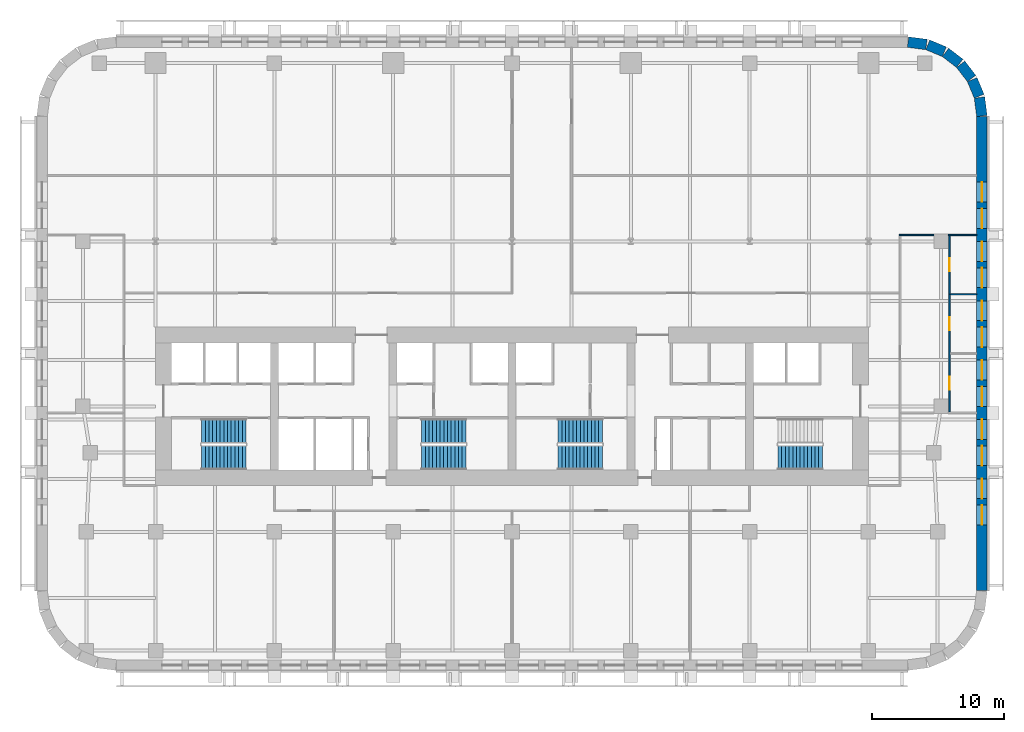
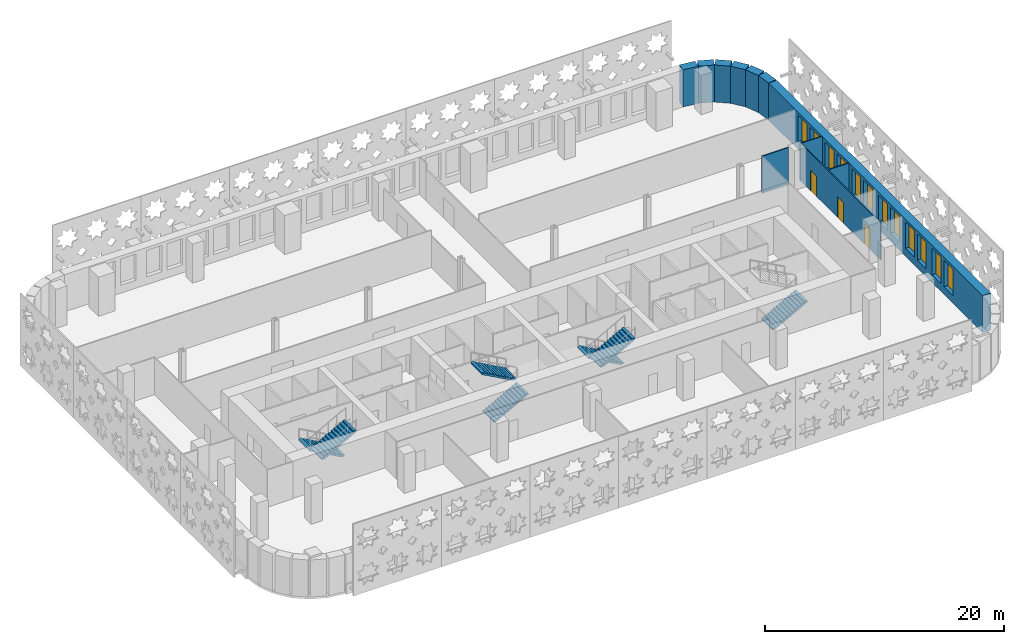
# One storey, part 9 of 15: 12 windows, 11 walls, 7 stair flights, 3 doors, 15 openings, 4 elements without a shape of their own.
"""IFC4 building model written with IfcOpenShell, lengths in metres."""

from ifc_helpers import new_model, si_unit, direction, frame, frame_2d, origin, place, context, subcontext, project, spatial, polyline, rectangle, outline, extrude, material, layer, layer_set, type_object, element, fill, aggregate, save


model = new_model("IFC4")

# Units and contexts
model_context = context("Model", 3, precision=1e-05, world=origin(), true_north=direction((0.0, 1.0)))
body_context = subcontext(model_context, "Body", "Model", "MODEL_VIEW")
ifc_project = project(units=[si_unit("LENGTHUNIT", "METRE"), si_unit("AREAUNIT", "SQUARE_METRE"), si_unit("VOLUMEUNIT", "CUBIC_METRE"), si_unit("PLANEANGLEUNIT", "RADIAN"), si_unit("MASSUNIT", "GRAM", prefix="KILO")], contexts=[model_context])

# Site, building, storey
site_placement = place(None, origin())
site = spatial("IfcSite", under=ifc_project, at=site_placement, CompositionType="ELEMENT")
building_placement = place(site_placement, origin())
building = spatial("IfcBuilding", under=site, at=building_placement, Name="Zellij Exchange Tower", CompositionType="ELEMENT")
storey_placement = place(building_placement, frame((0.0, 0.0, 84.5)))
storey = spatial("IfcBuildingStorey", under=building, at=storey_placement, Name="L17", CompositionType="ELEMENT", Elevation=84.5)

# Wall, openings, windows
ifc_material_1 = material(Name="Precast concrete C40/50", Category="concrete")
ifc_layer_1 = layer(ifc_material_1, 0.800048828125)
ifc_layer_set_1 = layer_set([ifc_layer_1], Name="Precast concrete C40/50")
wall_type_1 = type_object("IfcWallType", Name="ENV-EW1 Precast stone-piered wall 800", PredefinedType="SOLIDWALL", material=ifc_layer_set_1)
wall_1_placement = place(storey_placement, frame((35.60009765625, -21.947509765625, 0.0), z_axis=(0.0, 0.0, 1.0), x_axis=(0.0, 1.0, 0.0)))
wall_1 = element("IfcWall", 1, at=wall_1_placement, inside=storey, type_object=wall_type_1, Name="fac.L17.07", PredefinedType="SOLIDWALL", context=body_context, shape_type="SweptSolid", body=[
    extrude(rectangle(XDim=35.89501953125, YDim=0.800048828125, at=frame_2d((17.947509765625, 0.0))), origin(), (0.0, 0.0, 1.0), 3.800048828125),
])
opening_1_placement = place(wall_1_placement, frame((4.9638671875, 0.0, 0.800048828125)))
opening_1 = element("IfcOpeningElement", 2, at=opening_1_placement, cuts=wall_1, Name="Opening FZ1.25", PredefinedType="OPENING", context=body_context, shape_type="SweptSolid", body=[
    extrude(rectangle(XDim=1.5, YDim=2.699951171875, at=frame_2d((0.75, 1.35009765625))), frame((0.0, 0.412109375, 0.0), z_axis=(0.0, -1.0, 0.0), x_axis=(1.0, 0.0, 0.0)), (0.0, 0.0, 1.0), 0.823974609375),
])
opening_2_placement = place(wall_1_placement, frame((6.9638671875, 0.0, 0.800048828125)))
opening_2 = element("IfcOpeningElement", 3, at=opening_2_placement, cuts=wall_1, Name="Opening FZ1.26", PredefinedType="OPENING", context=body_context, shape_type="SweptSolid", body=[
    extrude(rectangle(XDim=1.5, YDim=2.699951171875, at=frame_2d((0.75, 1.35009765625))), frame((0.0, 0.412109375, 0.0), z_axis=(0.0, -1.0, 0.0), x_axis=(1.0, 0.0, 0.0)), (0.0, 0.0, 1.0), 0.823974609375),
])
opening_3_placement = place(wall_1_placement, frame((9.45751953125, 0.0, 0.800048828125)))
opening_3 = element("IfcOpeningElement", 4, at=opening_3_placement, cuts=wall_1, Name="Opening FZ1.27", PredefinedType="OPENING", context=body_context, shape_type="SweptSolid", body=[
    extrude(rectangle(XDim=1.5, YDim=2.699951171875, at=frame_2d((0.75, 1.35009765625))), frame((0.0, 0.412109375, 0.0), z_axis=(0.0, -1.0, 0.0), x_axis=(1.0, 0.0, 0.0)), (0.0, 0.0, 1.0), 0.823974609375),
])
opening_4_placement = place(wall_1_placement, frame((11.45751953125, 0.0, 0.800048828125)))
opening_4 = element("IfcOpeningElement", 5, at=opening_4_placement, cuts=wall_1, Name="Opening FZ1.28", PredefinedType="OPENING", context=body_context, shape_type="SweptSolid", body=[
    extrude(rectangle(XDim=1.5, YDim=2.699951171875, at=frame_2d((0.75, 1.35009765625))), frame((0.0, 0.412109375, 0.0), z_axis=(0.0, -1.0, 0.0), x_axis=(1.0, 0.0, 0.0)), (0.0, 0.0, 1.0), 0.823974609375),
])
opening_5_placement = place(wall_1_placement, frame((13.950927734375, 0.0, 0.800048828125)))
opening_5 = element("IfcOpeningElement", 6, at=opening_5_placement, cuts=wall_1, Name="Opening FZ1.29", PredefinedType="OPENING", context=body_context, shape_type="SweptSolid", body=[
    extrude(rectangle(XDim=1.5, YDim=2.699951171875, at=frame_2d((0.75, 1.35009765625))), frame((0.0, 0.412109375, 0.0), z_axis=(0.0, -1.0, 0.0), x_axis=(1.0, 0.0, 0.0)), (0.0, 0.0, 1.0), 0.823974609375),
])
opening_6_placement = place(wall_1_placement, frame((15.95068359375, 0.0, 0.800048828125)))
opening_6 = element("IfcOpeningElement", 7, at=opening_6_placement, cuts=wall_1, Name="Opening FZ1.30", PredefinedType="OPENING", context=body_context, shape_type="SweptSolid", body=[
    extrude(rectangle(XDim=1.5, YDim=2.699951171875, at=frame_2d((0.75, 1.35009765625))), frame((0.0, 0.412109375, 0.0), z_axis=(0.0, -1.0, 0.0), x_axis=(1.0, 0.0, 0.0)), (0.0, 0.0, 1.0), 0.823974609375),
])
opening_7_placement = place(wall_1_placement, frame((18.4443359375, 0.0, 0.800048828125)))
opening_7 = element("IfcOpeningElement", 8, at=opening_7_placement, cuts=wall_1, Name="Opening FZ1.31", PredefinedType="OPENING", context=body_context, shape_type="SweptSolid", body=[
    extrude(rectangle(XDim=1.5, YDim=2.699951171875, at=frame_2d((0.75, 1.35009765625))), frame((0.0, 0.412109375, 0.0), z_axis=(0.0, -1.0, 0.0), x_axis=(1.0, 0.0, 0.0)), (0.0, 0.0, 1.0), 0.823974609375),
])
opening_8_placement = place(wall_1_placement, frame((20.4443359375, 0.0, 0.800048828125)))
opening_8 = element("IfcOpeningElement", 9, at=opening_8_placement, cuts=wall_1, Name="Opening FZ1.32", PredefinedType="OPENING", context=body_context, shape_type="SweptSolid", body=[
    extrude(rectangle(XDim=1.5, YDim=2.699951171875, at=frame_2d((0.75, 1.35009765625))), frame((0.0, 0.412109375, 0.0), z_axis=(0.0, -1.0, 0.0), x_axis=(1.0, 0.0, 0.0)), (0.0, 0.0, 1.0), 0.823974609375),
])
opening_9_placement = place(wall_1_placement, frame((22.937744140625, 0.0, 0.800048828125)))
opening_9 = element("IfcOpeningElement", 10, at=opening_9_placement, cuts=wall_1, Name="Opening FZ1.33", PredefinedType="OPENING", context=body_context, shape_type="SweptSolid", body=[
    extrude(rectangle(XDim=1.5, YDim=2.699951171875, at=frame_2d((0.75, 1.35009765625))), frame((0.0, 0.412109375, 0.0), z_axis=(0.0, -1.0, 0.0), x_axis=(1.0, 0.0, 0.0)), (0.0, 0.0, 1.0), 0.823974609375),
])
opening_10_placement = place(wall_1_placement, frame((24.937744140625, 0.0, 0.800048828125)))
opening_10 = element("IfcOpeningElement", 11, at=opening_10_placement, cuts=wall_1, Name="Opening FZ1.34", PredefinedType="OPENING", context=body_context, shape_type="SweptSolid", body=[
    extrude(rectangle(XDim=1.5, YDim=2.699951171875, at=frame_2d((0.75, 1.35009765625))), frame((0.0, 0.412109375, 0.0), z_axis=(0.0, -1.0, 0.0), x_axis=(1.0, 0.0, 0.0)), (0.0, 0.0, 1.0), 0.823974609375),
])
opening_11_placement = place(wall_1_placement, frame((27.43115234375, 0.0, 0.800048828125)))
opening_11 = element("IfcOpeningElement", 12, at=opening_11_placement, cuts=wall_1, Name="Opening FZ1.35", PredefinedType="OPENING", context=body_context, shape_type="SweptSolid", body=[
    extrude(rectangle(XDim=1.5, YDim=2.699951171875, at=frame_2d((0.75, 1.35009765625))), frame((0.0, 0.412109375, 0.0), z_axis=(0.0, -1.0, 0.0), x_axis=(1.0, 0.0, 0.0)), (0.0, 0.0, 1.0), 0.823974609375),
])
opening_12_placement = place(wall_1_placement, frame((29.43115234375, 0.0, 0.800048828125)))
opening_12 = element("IfcOpeningElement", 13, at=opening_12_placement, cuts=wall_1, Name="Opening FZ1.36", PredefinedType="OPENING", context=body_context, shape_type="SweptSolid", body=[
    extrude(rectangle(XDim=1.5, YDim=2.699951171875, at=frame_2d((0.75, 1.35009765625))), frame((0.0, 0.412109375, 0.0), z_axis=(0.0, -1.0, 0.0), x_axis=(1.0, 0.0, 0.0)), (0.0, 0.0, 1.0), 0.823974609375),
])
ifc_material_2 = material(Name="Aluminium frame with insulating glass", Category="aluminium")
window_type = type_object("IfcWindowType", Name="ENV-W6 Window 1500x2700", PartitioningType="SINGLE_PANEL", PredefinedType="WINDOW", material=ifc_material_2)
window_1_placement = place(opening_1_placement, origin())
window_1 = element("IfcWindow", 14, at=window_1_placement, inside=storey, type_object=window_type, Name="Window FZ1.25", OverallHeight=2.699951171875, OverallWidth=1.5, PartitioningType="SINGLE_PANEL", PredefinedType="WINDOW", context=body_context, shape_type="SweptSolid", body=[
    extrude(rectangle(XDim=1.5, YDim=2.699951171875, at=frame_2d((0.75, 1.35009765625))), frame((0.0, 0.030029296875, 0.0), z_axis=(0.0, -1.0, 0.0), x_axis=(1.0, 0.0, 0.0)), (0.0, 0.0, 1.0), 0.06005859375),
])
fill(opening_1, window_1)
window_2_placement = place(opening_2_placement, origin())
window_2 = element("IfcWindow", 15, at=window_2_placement, inside=storey, type_object=window_type, Name="Window FZ1.26", OverallHeight=2.699951171875, OverallWidth=1.5, PartitioningType="SINGLE_PANEL", PredefinedType="WINDOW", context=body_context, shape_type="SweptSolid", body=[
    extrude(rectangle(XDim=1.5, YDim=2.699951171875, at=frame_2d((0.75, 1.35009765625))), frame((0.0, 0.030029296875, 0.0), z_axis=(0.0, -1.0, 0.0), x_axis=(1.0, 0.0, 0.0)), (0.0, 0.0, 1.0), 0.06005859375),
])
fill(opening_2, window_2)
window_3_placement = place(opening_3_placement, origin())
window_3 = element("IfcWindow", 16, at=window_3_placement, inside=storey, type_object=window_type, Name="Window FZ1.27", OverallHeight=2.699951171875, OverallWidth=1.5, PartitioningType="SINGLE_PANEL", PredefinedType="WINDOW", context=body_context, shape_type="SweptSolid", body=[
    extrude(rectangle(XDim=1.5, YDim=2.699951171875, at=frame_2d((0.75, 1.35009765625))), frame((0.0, 0.030029296875, 0.0), z_axis=(0.0, -1.0, 0.0), x_axis=(1.0, 0.0, 0.0)), (0.0, 0.0, 1.0), 0.06005859375),
])
fill(opening_3, window_3)
window_4_placement = place(opening_4_placement, origin())
window_4 = element("IfcWindow", 17, at=window_4_placement, inside=storey, type_object=window_type, Name="Window FZ1.28", OverallHeight=2.699951171875, OverallWidth=1.5, PartitioningType="SINGLE_PANEL", PredefinedType="WINDOW", context=body_context, shape_type="SweptSolid", body=[
    extrude(rectangle(XDim=1.5, YDim=2.699951171875, at=frame_2d((0.75, 1.35009765625))), frame((0.0, 0.030029296875, 0.0), z_axis=(0.0, -1.0, 0.0), x_axis=(1.0, 0.0, 0.0)), (0.0, 0.0, 1.0), 0.06005859375),
])
fill(opening_4, window_4)
window_5_placement = place(opening_5_placement, origin())
window_5 = element("IfcWindow", 18, at=window_5_placement, inside=storey, type_object=window_type, Name="Window FZ1.29", OverallHeight=2.699951171875, OverallWidth=1.5, PartitioningType="SINGLE_PANEL", PredefinedType="WINDOW", context=body_context, shape_type="SweptSolid", body=[
    extrude(rectangle(XDim=1.5, YDim=2.699951171875, at=frame_2d((0.75, 1.35009765625))), frame((0.0, 0.030029296875, 0.0), z_axis=(0.0, -1.0, 0.0), x_axis=(1.0, 0.0, 0.0)), (0.0, 0.0, 1.0), 0.06005859375),
])
fill(opening_5, window_5)
window_6_placement = place(opening_6_placement, origin())
window_6 = element("IfcWindow", 19, at=window_6_placement, inside=storey, type_object=window_type, Name="Window FZ1.30", OverallHeight=2.699951171875, OverallWidth=1.5, PartitioningType="SINGLE_PANEL", PredefinedType="WINDOW", context=body_context, shape_type="SweptSolid", body=[
    extrude(rectangle(XDim=1.5, YDim=2.699951171875, at=frame_2d((0.75, 1.35009765625))), frame((0.0, 0.030029296875, 0.0), z_axis=(0.0, -1.0, 0.0), x_axis=(1.0, 0.0, 0.0)), (0.0, 0.0, 1.0), 0.06005859375),
])
fill(opening_6, window_6)
window_7_placement = place(opening_7_placement, origin())
window_7 = element("IfcWindow", 20, at=window_7_placement, inside=storey, type_object=window_type, Name="Window FZ1.31", OverallHeight=2.699951171875, OverallWidth=1.5, PartitioningType="SINGLE_PANEL", PredefinedType="WINDOW", context=body_context, shape_type="SweptSolid", body=[
    extrude(rectangle(XDim=1.5, YDim=2.699951171875, at=frame_2d((0.75, 1.35009765625))), frame((0.0, 0.030029296875, 0.0), z_axis=(0.0, -1.0, 0.0), x_axis=(1.0, 0.0, 0.0)), (0.0, 0.0, 1.0), 0.06005859375),
])
fill(opening_7, window_7)
window_8_placement = place(opening_8_placement, origin())
window_8 = element("IfcWindow", 21, at=window_8_placement, inside=storey, type_object=window_type, Name="Window FZ1.32", OverallHeight=2.699951171875, OverallWidth=1.5, PartitioningType="SINGLE_PANEL", PredefinedType="WINDOW", context=body_context, shape_type="SweptSolid", body=[
    extrude(rectangle(XDim=1.5, YDim=2.699951171875, at=frame_2d((0.75, 1.35009765625))), frame((0.0, 0.030029296875, 0.0), z_axis=(0.0, -1.0, 0.0), x_axis=(1.0, 0.0, 0.0)), (0.0, 0.0, 1.0), 0.06005859375),
])
fill(opening_8, window_8)
window_9_placement = place(opening_9_placement, origin())
window_9 = element("IfcWindow", 22, at=window_9_placement, inside=storey, type_object=window_type, Name="Window FZ1.33", OverallHeight=2.699951171875, OverallWidth=1.5, PartitioningType="SINGLE_PANEL", PredefinedType="WINDOW", context=body_context, shape_type="SweptSolid", body=[
    extrude(rectangle(XDim=1.5, YDim=2.699951171875, at=frame_2d((0.75, 1.35009765625))), frame((0.0, 0.030029296875, 0.0), z_axis=(0.0, -1.0, 0.0), x_axis=(1.0, 0.0, 0.0)), (0.0, 0.0, 1.0), 0.06005859375),
])
fill(opening_9, window_9)
window_10_placement = place(opening_10_placement, origin())
window_10 = element("IfcWindow", 23, at=window_10_placement, inside=storey, type_object=window_type, Name="Window FZ1.34", OverallHeight=2.699951171875, OverallWidth=1.5, PartitioningType="SINGLE_PANEL", PredefinedType="WINDOW", context=body_context, shape_type="SweptSolid", body=[
    extrude(rectangle(XDim=1.5, YDim=2.699951171875, at=frame_2d((0.75, 1.35009765625))), frame((0.0, 0.030029296875, 0.0), z_axis=(0.0, -1.0, 0.0), x_axis=(1.0, 0.0, 0.0)), (0.0, 0.0, 1.0), 0.06005859375),
])
fill(opening_10, window_10)
window_11_placement = place(opening_11_placement, origin())
window_11 = element("IfcWindow", 24, at=window_11_placement, inside=storey, type_object=window_type, Name="Window FZ1.35", OverallHeight=2.699951171875, OverallWidth=1.5, PartitioningType="SINGLE_PANEL", PredefinedType="WINDOW", context=body_context, shape_type="SweptSolid", body=[
    extrude(rectangle(XDim=1.5, YDim=2.699951171875, at=frame_2d((0.75, 1.35009765625))), frame((0.0, 0.030029296875, 0.0), z_axis=(0.0, -1.0, 0.0), x_axis=(1.0, 0.0, 0.0)), (0.0, 0.0, 1.0), 0.06005859375),
])
fill(opening_11, window_11)
window_12_placement = place(opening_12_placement, origin())
window_12 = element("IfcWindow", 25, at=window_12_placement, inside=storey, type_object=window_type, Name="Window FZ1.36", OverallHeight=2.699951171875, OverallWidth=1.5, PartitioningType="SINGLE_PANEL", PredefinedType="WINDOW", context=body_context, shape_type="SweptSolid", body=[
    extrude(rectangle(XDim=1.5, YDim=2.699951171875, at=frame_2d((0.75, 1.35009765625))), frame((0.0, 0.030029296875, 0.0), z_axis=(0.0, -1.0, 0.0), x_axis=(1.0, 0.0, 0.0)), (0.0, 0.0, 1.0), 0.06005859375),
])
fill(opening_12, window_12)

# Walls
wall_2_placement = place(storey_placement, frame((35.5966796875, 13.999755859375, 0.0), z_axis=(0.0, 0.0, 1.0), x_axis=(-0.130517283865, 0.99144603414, 0.0)))
element("IfcWall", 26, at=wall_2_placement, inside=storey, type_object=wall_type_1, Name="fac.L17.08", PredefinedType="SOLIDWALL", context=body_context, shape_type="SweptSolid", body=[
    extrude(rectangle(XDim=1.408447265625, YDim=0.800048828125, at=frame_2d((0.7041015625, 0.0))), origin(), (0.0, 0.0, 1.0), 3.800048828125),
])
wall_3_placement = place(storey_placement, frame((35.3857421875, 15.497314453125, 0.0), z_axis=(0.0, 0.0, 1.0), x_axis=(-0.38276009378, 0.923847774587, 0.0)))
element("IfcWall", 27, at=wall_3_placement, inside=storey, type_object=wall_type_1, Name="fac.L17.09", PredefinedType="SOLIDWALL", context=body_context, shape_type="SweptSolid", body=[
    extrude(rectangle(XDim=1.35546875, YDim=0.800048828125, at=frame_2d((0.677734375, 0.0))), origin(), (0.0, 0.0, 1.0), 3.800048828125),
])
for number, where, z_axis, x_axis, name in (
    (28, (34.814697265625, 16.840087890625, 0.0), (0.0, 0.0, 1.0), (-0.608866226366, 0.793272915452, 0.0), "fac.L17.10"),
    (29, (33.91552734375, 17.9892578125, 0.0), (0.0, 0.0, 1.0), (-0.793272915452, 0.608866226366, 0.0), "fac.L17.11"),
):
    element("IfcWall", number, at=place(storey_placement, frame(where, z_axis=z_axis, x_axis=x_axis)), inside=storey, type_object=wall_type_1, Name=name, PredefinedType="SOLIDWALL", context=body_context, shape_type="SweptSolid", body=[
        extrude(rectangle(XDim=1.355712890625, YDim=0.800048828125, at=frame_2d((0.677734375, 0.0))), origin(), (0.0, 0.0, 1.0), 3.800048828125),
    ])
wall_4_placement = place(storey_placement, frame((32.74951171875, 18.866943359375, 0.0), z_axis=(0.0, 0.0, 1.0), x_axis=(-0.923847774587, 0.38276009378, 0.0)))
element("IfcWall", 30, at=wall_4_placement, inside=storey, type_object=wall_type_1, Name="fac.L17.12", PredefinedType="SOLIDWALL", context=body_context, shape_type="SweptSolid", body=[
    extrude(rectangle(XDim=1.35546875, YDim=0.800048828125, at=frame_2d((0.677734375, 0.0))), origin(), (0.0, 0.0, 1.0), 3.800048828125),
])
wall_5_placement = place(storey_placement, frame((31.396240234375, 19.412841796875, 0.0), z_axis=(0.0, 0.0, 1.0), x_axis=(-0.99144603414, 0.130517283865, 0.0)))
element("IfcWall", 31, at=wall_5_placement, inside=storey, type_object=wall_type_1, Name="fac.L17.13", PredefinedType="SOLIDWALL", context=body_context, shape_type="SweptSolid", body=[
    extrude(rectangle(XDim=1.408447265625, YDim=0.800048828125, at=frame_2d((0.7041015625, 0.0))), origin(), (0.0, 0.0, 1.0), 3.800048828125),
])

# Wall, openings, doors
ifc_material_3 = material(Name="Gypsum board partition on steel studs", Category="steel")
ifc_layer_2 = layer(ifc_material_3, 0.10009765625)
ifc_layer_set_2 = layer_set([ifc_layer_2], Name="Gypsum board partition on steel studs")
wall_type_2 = type_object("IfcWallType", Name="FIT-PARTITION-100", PredefinedType="PARTITIONING", material=ifc_layer_set_2)
wall_6_placement = place(storey_placement, frame((33.14990234375, -8.43994140625, 0.0), z_axis=(0.0, 0.0, 1.0), x_axis=(0.0, 1.0, 0.0)))
wall_6 = element("IfcWall", 32, at=wall_6_placement, inside=storey, type_object=wall_type_2, Name="FIT-PARTITION-100 018", PredefinedType="PARTITIONING", context=body_context, shape_type="SweptSolid", body=[
    extrude(rectangle(XDim=13.3798828125, YDim=0.10009765625, at=frame_2d((6.68994140625, 0.0))), origin(), (0.0, 0.0, 1.0), 3.800048828125),
])
opening_13_placement = place(wall_6_placement, frame((1.699951171875, 0.0, 0.0)))
opening_13 = element("IfcOpeningElement", 33, at=opening_13_placement, cuts=wall_6, Name="Opening TC.05", PredefinedType="OPENING", context=body_context, shape_type="SweptSolid", body=[
    extrude(rectangle(XDim=1.0, YDim=2.10009765625, at=frame_2d((0.5, 1.050048828125))), frame((0.0, 0.06201171875, 0.0), z_axis=(0.0, -1.0, 0.0), x_axis=(1.0, 0.0, 0.0)), (0.0, 0.0, 1.0), 0.1240234375),
])
opening_14_placement = place(wall_6_placement, frame((6.18994140625, 0.0, 0.0)))
opening_14 = element("IfcOpeningElement", 34, at=opening_14_placement, cuts=wall_6, Name="Opening TC.08", PredefinedType="OPENING", context=body_context, shape_type="SweptSolid", body=[
    extrude(rectangle(XDim=1.0, YDim=2.10009765625, at=frame_2d((0.5, 1.050048828125))), frame((0.0, 0.06201171875, 0.0), z_axis=(0.0, -1.0, 0.0), x_axis=(1.0, 0.0, 0.0)), (0.0, 0.0, 1.0), 0.1240234375),
])
opening_15_placement = place(wall_6_placement, frame((10.679931640625, 0.0, 0.0)))
opening_15 = element("IfcOpeningElement", 35, at=opening_15_placement, cuts=wall_6, Name="Opening TC.13", PredefinedType="OPENING", context=body_context, shape_type="SweptSolid", body=[
    extrude(rectangle(XDim=1.0, YDim=2.10009765625, at=frame_2d((0.5, 1.050048828125))), frame((0.0, 0.06201171875, 0.0), z_axis=(0.0, -1.0, 0.0), x_axis=(1.0, 0.0, 0.0)), (0.0, 0.0, 1.0), 0.1240234375),
])
ifc_material_4 = material(Name="Timber door set", Category="wood")
door_type = type_object("IfcDoorType", Name="FIT-D2-WIDE-1000X2100", OperationType="SINGLE_SWING_LEFT", PredefinedType="DOOR", material=ifc_material_4)
door_1_placement = place(opening_13_placement, origin())
door_1 = element("IfcDoor", 36, at=door_1_placement, inside=storey, type_object=door_type, Name="Door TC.05", OperationType="SINGLE_SWING_RIGHT", OverallHeight=2.10009765625, OverallWidth=1.0, PredefinedType="DOOR", context=body_context, shape_type="SweptSolid", body=[
    extrude(rectangle(XDim=1.0, YDim=2.10009765625, at=frame_2d((0.5, 1.050048828125))), frame((0.0, 0.02490234375, 0.0), z_axis=(0.0, -1.0, 0.0), x_axis=(1.0, 0.0, 0.0)), (0.0, 0.0, 1.0), 0.050048828125),
])
fill(opening_13, door_1)
door_2_placement = place(opening_14_placement, origin())
door_2 = element("IfcDoor", 37, at=door_2_placement, inside=storey, type_object=door_type, Name="Door TC.08", OperationType="SINGLE_SWING_RIGHT", OverallHeight=2.10009765625, OverallWidth=1.0, PredefinedType="DOOR", context=body_context, shape_type="SweptSolid", body=[
    extrude(rectangle(XDim=1.0, YDim=2.10009765625, at=frame_2d((0.5, 1.050048828125))), frame((0.0, 0.02490234375, 0.0), z_axis=(0.0, -1.0, 0.0), x_axis=(1.0, 0.0, 0.0)), (0.0, 0.0, 1.0), 0.050048828125),
])
fill(opening_14, door_2)
door_3_placement = place(opening_15_placement, origin())
door_3 = element("IfcDoor", 38, at=door_3_placement, inside=storey, type_object=door_type, Name="Door TC.13", OperationType="SINGLE_SWING_LEFT", OverallHeight=2.10009765625, OverallWidth=1.0, PredefinedType="DOOR", context=body_context, shape_type="SweptSolid", body=[
    extrude(rectangle(XDim=1.0, YDim=2.10009765625, at=frame_2d((0.5, 1.050048828125))), frame((0.0, 0.02490234375, 0.0), z_axis=(0.0, -1.0, 0.0), x_axis=(1.0, 0.0, 0.0)), (0.0, 0.0, 1.0), 0.050048828125),
])
fill(opening_15, door_3)

# Walls
wall_7_placement = place(storey_placement, frame((33.199951171875, 0.489990234375, 0.0), z_axis=(0.0, 0.0, 1.0), x_axis=(1.0, 0.0, 0.0)))
element("IfcWall", 39, at=wall_7_placement, inside=storey, type_object=wall_type_2, Name="FIT-PARTITION-100 020", PredefinedType="PARTITIONING", context=body_context, shape_type="SweptSolid", body=[
    extrude(rectangle(XDim=2.0, YDim=0.10009765625, at=frame_2d((1.0, 0.0))), origin(), (0.0, 0.0, 1.0), 3.800048828125),
])
wall_8_placement = place(storey_placement, frame((29.35009765625, 4.989990234375, 0.0), z_axis=(0.0, 0.0, 1.0), x_axis=(1.0, 0.0, 0.0)))
element("IfcWall", 40, at=wall_8_placement, inside=storey, type_object=wall_type_2, Name="FIT-PARTITION-100 030", PredefinedType="PARTITIONING", context=body_context, shape_type="SweptSolid", body=[
    extrude(rectangle(XDim=2.599853515625, YDim=0.10009765625, at=frame_2d((1.2998046875, 0.0))), origin(), (0.0, 0.0, 1.0), 3.800048828125),
])
wall_9_placement = place(storey_placement, frame((33.050048828125, 4.989990234375, 0.0), z_axis=(0.0, 0.0, 1.0), x_axis=(1.0, 0.0, 0.0)))
element("IfcWall", 41, at=wall_9_placement, inside=storey, type_object=wall_type_2, Name="FIT-PARTITION-100 031", PredefinedType="PARTITIONING", context=body_context, shape_type="SweptSolid", body=[
    extrude(rectangle(XDim=2.14990234375, YDim=0.10009765625, at=frame_2d((1.074951171875, 0.0))), origin(), (0.0, 0.0, 1.0), 3.800048828125),
])

# Stair, stair flights
ifc_material_5 = material(Name="Concrete C40/50", Category="concrete")
stair_type = type_object("IfcStairType", Name="CORE-ST exit stair 1850 wide", PredefinedType="HALF_TURN_STAIR", material=ifc_material_5)
stair_1_placement = place(storey_placement, origin())
stair_1 = element("IfcStair", 42, at=stair_1_placement, inside=storey, type_object=stair_type, Name="L17 exit stair ST1", PredefinedType="HALF_TURN_STAIR")
stair_flight_type = type_object("IfcStairFlightType", Name="CORE-SF flight 1850 riser 153.8 going 280", PredefinedType="STRAIGHT", material=ifc_material_5)
stair_flight_1_placement = place(storey_placement, frame((-20.14990234375, -9.875, 0.0), z_axis=(0.0, 0.0, 1.0), x_axis=(-1.0, 0.0, 0.0)))
stair_flight_1 = element("IfcStairFlight", 43, at=stair_flight_1_placement, type_object=stair_flight_type, Name="ST1 flight 1", NumberOfRisers=13, NumberOfTreads=12, PredefinedType="STRAIGHT", RiserHeight=0.153846154, TreadLength=0.28, context=body_context, shape_type="SweptSolid", body=[
    extrude(outline(polyline([(0.0, 0.0), (0.0, 0.15380859375), (0.280029296875, 0.15380859375), (0.280029296875, 0.3076171875), (0.56005859375, 0.3076171875), (0.56005859375, 0.46142578125), (0.840087890625, 0.46142578125), (0.840087890625, 0.615478515625), (1.1201171875, 0.615478515625), (1.1201171875, 0.769287109375), (1.39990234375, 0.769287109375), (1.39990234375, 0.923095703125), (1.679931640625, 0.923095703125), (1.679931640625, 1.076904296875), (1.9599609375, 1.076904296875), (1.9599609375, 1.230712890625), (2.239990234375, 1.230712890625), (2.239990234375, 1.384521484375), (2.52001953125, 1.384521484375), (2.52001953125, 1.53857421875), (2.800048828125, 1.53857421875), (2.800048828125, 1.6923828125), (3.080078125, 1.6923828125), (3.080078125, 1.84619140625), (3.360107421875, 1.84619140625), (3.360107421875, 2.0), (3.360107421875, 1.675048828125), (0.311279296875, 0.0), (0.0, 0.0)])), frame((0.0, 0.925048828125, 0.0), z_axis=(0.0, -1.0, 0.0), x_axis=(1.0, 0.0, 0.0)), (0.0, 0.0, 1.0), 1.85009765625),
])
stair_flight_2_placement = place(storey_placement, frame((-23.510009765625, -11.875, 2.0), z_axis=(0.0, 0.0, 1.0), x_axis=(1.0, 0.0, 0.0)))
stair_flight_2 = element("IfcStairFlight", 44, at=stair_flight_2_placement, type_object=stair_flight_type, Name="ST1 flight 2", NumberOfRisers=13, NumberOfTreads=12, PredefinedType="STRAIGHT", RiserHeight=0.153846154, TreadLength=0.28, context=body_context, shape_type="SweptSolid", body=[
    extrude(outline(polyline([(0.0, 0.0), (0.0, 0.15380859375), (0.280029296875, 0.15380859375), (0.280029296875, 0.3076171875), (0.56005859375, 0.3076171875), (0.56005859375, 0.46142578125), (0.840087890625, 0.46142578125), (0.840087890625, 0.615478515625), (1.1201171875, 0.615478515625), (1.1201171875, 0.769287109375), (1.39990234375, 0.769287109375), (1.39990234375, 0.923095703125), (1.679931640625, 0.923095703125), (1.679931640625, 1.076904296875), (1.9599609375, 1.076904296875), (1.9599609375, 1.230712890625), (2.239990234375, 1.230712890625), (2.239990234375, 1.384521484375), (2.52001953125, 1.384521484375), (2.52001953125, 1.53857421875), (2.800048828125, 1.53857421875), (2.800048828125, 1.6923828125), (3.080078125, 1.6923828125), (3.080078125, 1.84619140625), (3.360107421875, 1.84619140625), (3.360107421875, 2.0), (3.360107421875, 1.675048828125), (0.311279296875, 0.0), (0.0, 0.0)])), frame((0.0, 0.925048828125, 0.0), z_axis=(0.0, -1.0, 0.0), x_axis=(1.0, 0.0, 0.0)), (0.0, 0.0, 1.0), 1.85009765625),
])
aggregate(stair_1, [stair_flight_1, stair_flight_2])

stair_2_placement = place(storey_placement, origin())
stair_2 = element("IfcStair", 45, at=stair_2_placement, inside=storey, type_object=stair_type, Name="L17 exit stair ST2", PredefinedType="HALF_TURN_STAIR")
stair_flight_3_placement = place(storey_placement, frame((-6.85009765625, -11.875, 0.0), z_axis=(0.0, 0.0, 1.0), x_axis=(1.0, 0.0, 0.0)))
stair_flight_3 = element("IfcStairFlight", 46, at=stair_flight_3_placement, type_object=stair_flight_type, Name="ST2 flight 1", NumberOfRisers=13, NumberOfTreads=12, PredefinedType="STRAIGHT", RiserHeight=0.153846154, TreadLength=0.28, context=body_context, shape_type="SweptSolid", body=[
    extrude(outline(polyline([(0.0, 0.0), (0.0, 0.15380859375), (0.280029296875, 0.15380859375), (0.280029296875, 0.3076171875), (0.56005859375, 0.3076171875), (0.56005859375, 0.46142578125), (0.840087890625, 0.46142578125), (0.840087890625, 0.615478515625), (1.1201171875, 0.615478515625), (1.1201171875, 0.769287109375), (1.39990234375, 0.769287109375), (1.39990234375, 0.923095703125), (1.679931640625, 0.923095703125), (1.679931640625, 1.076904296875), (1.9599609375, 1.076904296875), (1.9599609375, 1.230712890625), (2.239990234375, 1.230712890625), (2.239990234375, 1.384521484375), (2.52001953125, 1.384521484375), (2.52001953125, 1.53857421875), (2.800048828125, 1.53857421875), (2.800048828125, 1.6923828125), (3.080078125, 1.6923828125), (3.080078125, 1.84619140625), (3.360107421875, 1.84619140625), (3.360107421875, 2.0), (3.360107421875, 1.675048828125), (0.311279296875, 0.0), (0.0, 0.0)])), frame((0.0, 0.925048828125, 0.0), z_axis=(0.0, -1.0, 0.0), x_axis=(1.0, 0.0, 0.0)), (0.0, 0.0, 1.0), 1.85009765625),
])
stair_flight_4_placement = place(storey_placement, frame((-3.489990234375, -9.875, 2.0), z_axis=(0.0, 0.0, 1.0), x_axis=(-1.0, 0.0, 0.0)))
stair_flight_4 = element("IfcStairFlight", 47, at=stair_flight_4_placement, type_object=stair_flight_type, Name="ST2 flight 2", NumberOfRisers=13, NumberOfTreads=12, PredefinedType="STRAIGHT", RiserHeight=0.153846154, TreadLength=0.28, context=body_context, shape_type="SweptSolid", body=[
    extrude(outline(polyline([(0.0, 0.0), (0.0, 0.15380859375), (0.280029296875, 0.15380859375), (0.280029296875, 0.3076171875), (0.56005859375, 0.3076171875), (0.56005859375, 0.46142578125), (0.840087890625, 0.46142578125), (0.840087890625, 0.615478515625), (1.1201171875, 0.615478515625), (1.1201171875, 0.769287109375), (1.39990234375, 0.769287109375), (1.39990234375, 0.923095703125), (1.679931640625, 0.923095703125), (1.679931640625, 1.076904296875), (1.9599609375, 1.076904296875), (1.9599609375, 1.230712890625), (2.239990234375, 1.230712890625), (2.239990234375, 1.384521484375), (2.52001953125, 1.384521484375), (2.52001953125, 1.53857421875), (2.800048828125, 1.53857421875), (2.800048828125, 1.6923828125), (3.080078125, 1.6923828125), (3.080078125, 1.84619140625), (3.360107421875, 1.84619140625), (3.360107421875, 2.0), (3.360107421875, 1.675048828125), (0.311279296875, 0.0), (0.0, 0.0)])), frame((0.0, 0.925048828125, 0.0), z_axis=(0.0, -1.0, 0.0), x_axis=(1.0, 0.0, 0.0)), (0.0, 0.0, 1.0), 1.85009765625),
])
aggregate(stair_2, [stair_flight_3, stair_flight_4])

stair_3_placement = place(storey_placement, origin())
stair_3 = element("IfcStair", 48, at=stair_3_placement, inside=storey, type_object=stair_type, Name="L17 exit stair ST3", PredefinedType="HALF_TURN_STAIR")
stair_flight_5_placement = place(storey_placement, frame((6.85009765625, -9.875, 0.0), z_axis=(0.0, 0.0, 1.0), x_axis=(-1.0, 0.0, 0.0)))
stair_flight_5 = element("IfcStairFlight", 49, at=stair_flight_5_placement, type_object=stair_flight_type, Name="ST3 flight 1", NumberOfRisers=13, NumberOfTreads=12, PredefinedType="STRAIGHT", RiserHeight=0.153846154, TreadLength=0.28, context=body_context, shape_type="SweptSolid", body=[
    extrude(outline(polyline([(0.0, 0.0), (0.0, 0.15380859375), (0.280029296875, 0.15380859375), (0.280029296875, 0.3076171875), (0.56005859375, 0.3076171875), (0.56005859375, 0.46142578125), (0.840087890625, 0.46142578125), (0.840087890625, 0.615478515625), (1.1201171875, 0.615478515625), (1.1201171875, 0.769287109375), (1.39990234375, 0.769287109375), (1.39990234375, 0.923095703125), (1.679931640625, 0.923095703125), (1.679931640625, 1.076904296875), (1.9599609375, 1.076904296875), (1.9599609375, 1.230712890625), (2.239990234375, 1.230712890625), (2.239990234375, 1.384521484375), (2.52001953125, 1.384521484375), (2.52001953125, 1.53857421875), (2.800048828125, 1.53857421875), (2.800048828125, 1.6923828125), (3.080078125, 1.6923828125), (3.080078125, 1.84619140625), (3.360107421875, 1.84619140625), (3.360107421875, 2.0), (3.360107421875, 1.675048828125), (0.311279296875, 0.0), (0.0, 0.0)])), frame((0.0, 0.925048828125, 0.0), z_axis=(0.0, -1.0, 0.0), x_axis=(1.0, 0.0, 0.0)), (0.0, 0.0, 1.0), 1.85009765625),
])
stair_flight_6_placement = place(storey_placement, frame((3.489990234375, -11.875, 2.0), z_axis=(0.0, 0.0, 1.0), x_axis=(1.0, 0.0, 0.0)))
stair_flight_6 = element("IfcStairFlight", 50, at=stair_flight_6_placement, type_object=stair_flight_type, Name="ST3 flight 2", NumberOfRisers=13, NumberOfTreads=12, PredefinedType="STRAIGHT", RiserHeight=0.153846154, TreadLength=0.28, context=body_context, shape_type="SweptSolid", body=[
    extrude(outline(polyline([(0.0, 0.0), (0.0, 0.15380859375), (0.280029296875, 0.15380859375), (0.280029296875, 0.3076171875), (0.56005859375, 0.3076171875), (0.56005859375, 0.46142578125), (0.840087890625, 0.46142578125), (0.840087890625, 0.615478515625), (1.1201171875, 0.615478515625), (1.1201171875, 0.769287109375), (1.39990234375, 0.769287109375), (1.39990234375, 0.923095703125), (1.679931640625, 0.923095703125), (1.679931640625, 1.076904296875), (1.9599609375, 1.076904296875), (1.9599609375, 1.230712890625), (2.239990234375, 1.230712890625), (2.239990234375, 1.384521484375), (2.52001953125, 1.384521484375), (2.52001953125, 1.53857421875), (2.800048828125, 1.53857421875), (2.800048828125, 1.6923828125), (3.080078125, 1.6923828125), (3.080078125, 1.84619140625), (3.360107421875, 1.84619140625), (3.360107421875, 2.0), (3.360107421875, 1.675048828125), (0.311279296875, 0.0), (0.0, 0.0)])), frame((0.0, 0.925048828125, 0.0), z_axis=(0.0, -1.0, 0.0), x_axis=(1.0, 0.0, 0.0)), (0.0, 0.0, 1.0), 1.85009765625),
])
aggregate(stair_3, [stair_flight_5, stair_flight_6])

# Stair, stair flight
stair_4_placement = place(storey_placement, origin())
stair_4 = element("IfcStair", 51, at=stair_4_placement, inside=storey, type_object=stair_type, Name="L17 exit stair ST4", PredefinedType="HALF_TURN_STAIR")
stair_flight_7_placement = place(storey_placement, frame((20.14990234375, -11.875, 0.0), z_axis=(0.0, 0.0, 1.0), x_axis=(1.0, 0.0, 0.0)))
stair_flight_7 = element("IfcStairFlight", 52, at=stair_flight_7_placement, type_object=stair_flight_type, Name="ST4 flight 1", NumberOfRisers=13, NumberOfTreads=12, PredefinedType="STRAIGHT", RiserHeight=0.153846154, TreadLength=0.28, context=body_context, shape_type="SweptSolid", body=[
    extrude(outline(polyline([(0.0, 0.0), (0.0, 0.15380859375), (0.280029296875, 0.15380859375), (0.280029296875, 0.3076171875), (0.56005859375, 0.3076171875), (0.56005859375, 0.46142578125), (0.840087890625, 0.46142578125), (0.840087890625, 0.615478515625), (1.1201171875, 0.615478515625), (1.1201171875, 0.769287109375), (1.39990234375, 0.769287109375), (1.39990234375, 0.923095703125), (1.679931640625, 0.923095703125), (1.679931640625, 1.076904296875), (1.9599609375, 1.076904296875), (1.9599609375, 1.230712890625), (2.239990234375, 1.230712890625), (2.239990234375, 1.384521484375), (2.52001953125, 1.384521484375), (2.52001953125, 1.53857421875), (2.800048828125, 1.53857421875), (2.800048828125, 1.6923828125), (3.080078125, 1.6923828125), (3.080078125, 1.84619140625), (3.360107421875, 1.84619140625), (3.360107421875, 2.0), (3.360107421875, 1.675048828125), (0.311279296875, 0.0), (0.0, 0.0)])), frame((0.0, 0.925048828125, 0.0), z_axis=(0.0, -1.0, 0.0), x_axis=(1.0, 0.0, 0.0)), (0.0, 0.0, 1.0), 1.85009765625),
])
aggregate(stair_4, [stair_flight_7])

save(model, "model.ifc")
